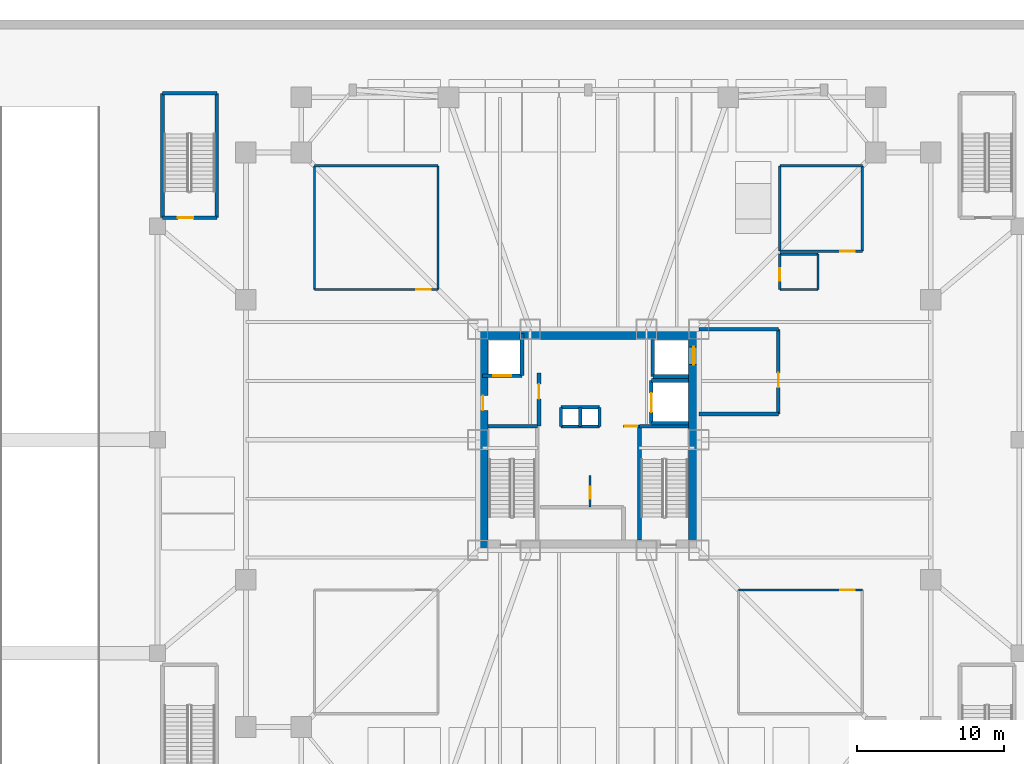
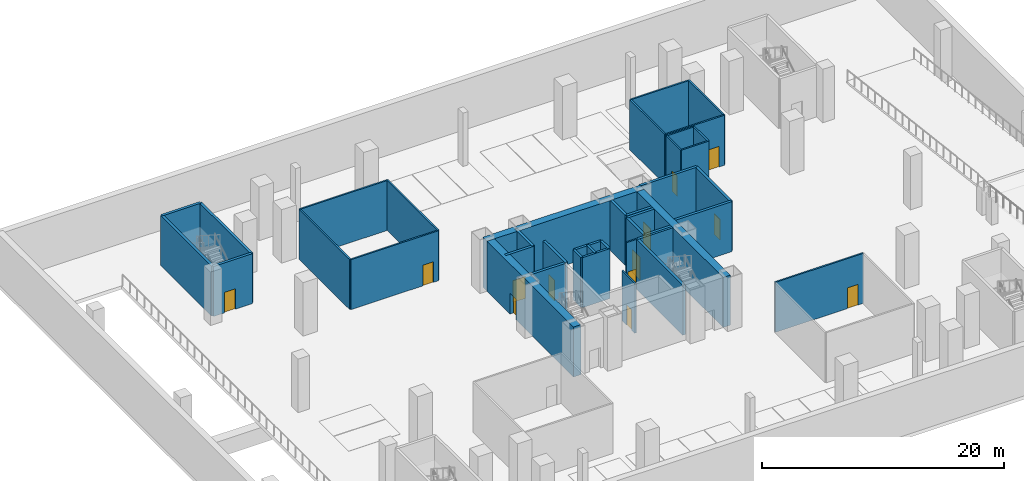
# One storey, part 5 of 14: 41 walls, 13 doors, 13 openings.
"""IFC4 building model written with IfcOpenShell, lengths in metres."""

import ifcopenshell
import ifcopenshell.guid

model = None  # the IFC model being written
_history = None  # IfcOwnerHistory: only IFC2X3 demands one
_inside = {}  # id of a spatial element -> (the spatial element, [elements in it])
_under = {}  # id of a project, library or spatial element -> (it, [spatial elements below it])
_declared = {}  # id of a project -> (the project, [libraries it declares])
_typed = {}  # id of a type object -> (the type object, [elements of that type])
_made_of = {}  # id of a material, layer set ... -> (it, [elements and type objects made of it])


def new_model(schema):
    """Start an empty IFC model of exactly this schema.

    Asked for "IFC4X3", IfcOpenShell would pick the latest addendum, in which some entities
    have other attributes; the version numbers below select the first issue.
    IFC2X3 requires an IfcOwnerHistory on every rooted entity: one is made here for all.
    """
    global model, _history
    if schema == "IFC4X3":
        model = ifcopenshell.file(schema_version=(4, 3, 0, 0))
    else:
        model = ifcopenshell.file(schema=schema)
    _inside.clear()
    _under.clear()
    _declared.clear()
    _typed.clear()
    _made_of.clear()
    _history = None
    if model.schema == "IFC2X3":
        org = make("IfcOrganization", Name="unknown")
        user = make(
            "IfcPersonAndOrganization",
            ThePerson=make("IfcPerson", FamilyName="unknown"),
            TheOrganization=org,
        )
        app = make(
            "IfcApplication",
            ApplicationDeveloper=org,
            Version="unknown",
            ApplicationFullName="unknown",
            ApplicationIdentifier="unknown",
        )
        _history = make(
            "IfcOwnerHistory",
            OwningUser=user,
            OwningApplication=app,
            ChangeAction="ADDED",
            CreationDate=0,
        )
    return model


def make(cls, **values):
    """One entity of the class cls with the attributes given. An attribute that is None is left unset."""
    return model.create_entity(
        cls, **{name: value for name, value in values.items() if value is not None}
    )


def rooted(cls, **values):
    """An entity with a GlobalId (a new one), such as an element, a storey or a relation."""
    return make(cls, GlobalId=ifcopenshell.guid.new(), OwnerHistory=_history, **values)


def si_unit(unit_type, name, prefix=None):
    """IfcSIUnit, for example si_unit("LENGTHUNIT", "METRE", prefix="MILLI")."""
    return make("IfcSIUnit", UnitType=unit_type, Prefix=prefix, Name=name)


def assignment(units):
    """IfcUnitAssignment: the units of a project."""
    return None if units is None else make("IfcUnitAssignment", Units=units)


def point(xyz):
    """IfcCartesianPoint."""
    return None if xyz is None else make("IfcCartesianPoint", Coordinates=xyz)


def direction(xyz):
    """IfcDirection."""
    return None if xyz is None else make("IfcDirection", DirectionRatios=xyz)


def frame(location, z_axis=None, x_axis=None):
    """IfcAxis2Placement3D, a coordinate frame: its origin and axes. An axis left out is left unset."""
    return make(
        "IfcAxis2Placement3D",
        Location=point(location),
        Axis=direction(z_axis),
        RefDirection=direction(x_axis),
    )


def frame_2d(location, x_axis=None):
    """IfcAxis2Placement2D, a coordinate frame in the plane: its origin and x axis."""
    return make(
        "IfcAxis2Placement2D", Location=point(location), RefDirection=direction(x_axis)
    )


def origin():
    """The frame at (0, 0, 0) with its axes left unset."""
    return frame((0.0, 0.0, 0.0))


def place(relative_to, where):
    """IfcLocalPlacement: puts the frame where relative to a parent placement (None: the world)."""
    return make(
        "IfcLocalPlacement", PlacementRelTo=relative_to, RelativePlacement=where
    )


def context(
    kind, dimensions, precision=None, world=None, true_north=None, identifier=None
):
    """IfcGeometricRepresentationContext, for example the 3D "Model" context."""
    return make(
        "IfcGeometricRepresentationContext",
        ContextIdentifier=identifier,
        ContextType=kind,
        CoordinateSpaceDimension=dimensions,
        Precision=precision,
        WorldCoordinateSystem=world,
        TrueNorth=true_north,
    )


def subcontext(parent, identifier, kind, view, scale=None):
    """IfcGeometricRepresentationSubContext, for example "Body" below "Model"."""
    return make(
        "IfcGeometricRepresentationSubContext",
        ContextIdentifier=identifier,
        ContextType=kind,
        ParentContext=parent,
        TargetScale=scale,
        TargetView=view,
    )


def project(units=None, contexts=None):
    """IfcProject with its units and contexts."""
    return rooted(
        "IfcProject",
        Name="project",
        RepresentationContexts=contexts,
        UnitsInContext=assignment(units),
    )


def spatial(cls, under=None, at=None, **own):
    """A site, building, storey or space (cls), placed at a placement, below another one or the project."""
    s = rooted(cls, ObjectPlacement=at, **own)
    if under is not None:
        _under.setdefault(under.id(), (under, []))[1].append(s)
    return s


def profile(cls, at=None, kind="AREA", **sizes):
    """A parametric profile (cls). Its sizes go by their IFC names, for example OverallWidth=200.0."""
    return make(cls, ProfileType=kind, Position=at, **sizes)


def rectangle(**sizes):
    """IfcRectangleProfileDef."""
    return profile("IfcRectangleProfileDef", **sizes)


def extrude(swept, where, along, depth):
    """IfcExtrudedAreaSolid: the profile swept, set in the frame where, extruded along a direction by depth."""
    return make(
        "IfcExtrudedAreaSolid",
        SweptArea=swept,
        Position=where,
        ExtrudedDirection=direction(along),
        Depth=depth,
    )


def shape(context_of_items, identifier, shape_type, items):
    """IfcShapeRepresentation: the items that make up one representation, for example the "Body"."""
    return make(
        "IfcShapeRepresentation",
        ContextOfItems=context_of_items,
        RepresentationIdentifier=identifier,
        RepresentationType=shape_type,
        Items=items,
    )


def material(Name=None, Category=None):
    """IfcMaterial."""
    return make("IfcMaterial", Name=Name, Category=Category)


def layer(
    of_material, thickness, ventilated=None, Name=None, Category=None, Priority=None
):
    """IfcMaterialLayer: one layer of a wall or slab, of a material (None: an air gap)."""
    return make(
        "IfcMaterialLayer",
        Material=of_material,
        LayerThickness=thickness,
        IsVentilated=ventilated,
        Name=Name,
        Category=Category,
        Priority=Priority,
    )


def layer_set(layers, Name=None):
    """IfcMaterialLayerSet."""
    return make("IfcMaterialLayerSet", MaterialLayers=layers, LayerSetName=Name)


def made_of(thing, what):
    """Note that an element or type object is made of a material, layer set ...; save() writes the relation."""
    if what is not None:
        _made_of.setdefault(what.id(), (what, []))[1].append(thing)
    return thing


def type_object(cls, material=None, **own):
    """A type object (cls), such as IfcWallType, which elements share."""
    return made_of(rooted(cls, **own), material)


def element(
    cls,
    number,
    at=None,
    inside=None,
    cuts=None,
    type_object=None,
    material=None,
    context=None,
    identifier="Body",
    shape_type=None,
    held_by="IfcProductDefinitionShape",
    body=None,
    shapes=None,
    **own,
):
    """One element of the class cls, such as IfcWall. Its Tag is "e" and its number.

    at: its placement. inside: the storey or other place that contains it. cuts: it is an
    opening in that element (IfcRelVoidsElement). A single representation is given by context,
    identifier, shape_type and body (its items); several are given by shapes. held_by: the class
    of the entity that holds the representations. save() writes the other relations.
    """
    e = rooted(cls, Tag="e%d" % number, ObjectPlacement=at, **own)
    if body is not None:
        shapes = [shape(context, identifier, shape_type, body)]
    if shapes is not None:
        e.Representation = make(held_by, Representations=shapes)
    if inside is not None:
        _inside.setdefault(inside.id(), (inside, []))[1].append(e)
    if cuts is not None:
        rooted(
            "IfcRelVoidsElement", RelatingBuildingElement=cuts, RelatedOpeningElement=e
        )
    if type_object is not None:
        _typed.setdefault(type_object.id(), (type_object, []))[1].append(e)
    return made_of(e, material)


def fill(opening, filler):
    """IfcRelFillsElement: the door or window that sits in an opening."""
    return rooted(
        "IfcRelFillsElement",
        RelatingOpeningElement=opening,
        RelatedBuildingElement=filler,
    )


def aggregate(whole, parts):
    """IfcRelAggregates: a whole, such as a stair, and the parts it consists of."""
    return rooted("IfcRelAggregates", RelatingObject=whole, RelatedObjects=parts)


def save(model, path):
    """Write the relations noted so far, then the file.

    IfcRelAggregates (storeys below a building ...), IfcRelContainedInSpatialStructure (elements
    in a storey), IfcRelDefinesByType, IfcRelAssociatesMaterial and IfcRelDeclares: one each for
    every whole, place, type object, material and project.
    """
    for whole, parts in _under.values():
        aggregate(whole, parts)
    for where, things in _inside.values():
        rooted(
            "IfcRelContainedInSpatialStructure",
            RelatedElements=things,
            RelatingStructure=where,
        )
    for kind, things in _typed.values():
        rooted("IfcRelDefinesByType", RelatedObjects=things, RelatingType=kind)
    for what, things in _made_of.values():
        rooted("IfcRelAssociatesMaterial", RelatedObjects=things, RelatingMaterial=what)
    for by, libraries in _declared.values():
        rooted("IfcRelDeclares", RelatingContext=by, RelatedDefinitions=libraries)
    model.write(path)


model = new_model("IFC4")

# Units and contexts
model_context = context("Model", 3, precision=1e-05, world=origin(), true_north=direction((0.0, 1.0)))
body_context = subcontext(model_context, "Body", "Model", "MODEL_VIEW")
ifc_project = project(units=[si_unit("LENGTHUNIT", "METRE"), si_unit("AREAUNIT", "SQUARE_METRE"), si_unit("VOLUMEUNIT", "CUBIC_METRE"), si_unit("PLANEANGLEUNIT", "RADIAN"), si_unit("MASSUNIT", "GRAM", prefix="KILO")], contexts=[model_context])

# Site, building, storey
site_placement = place(None, origin())
site = spatial("IfcSite", under=ifc_project, at=site_placement, CompositionType="ELEMENT")
building_placement = place(site_placement, origin())
building = spatial("IfcBuilding", under=site, at=building_placement, Name="Trevonay Congress Spire", CompositionType="ELEMENT")
storey_placement = place(building_placement, frame((0.0, 0.0, -5.39990234375)))
storey = spatial("IfcBuildingStorey", under=building, at=storey_placement, Name="B1", CompositionType="ELEMENT", Elevation=-5.39990234375)

# Wall
ifc_material_1 = material(Name="Concrete C60/75", Category="concrete")
ifc_layer_1 = layer(ifc_material_1, 0.699951171875, Name="Concrete C60/75")
ifc_layer_set_1 = layer_set([ifc_layer_1], Name="Concrete C60/75")
wall_type_1 = type_object("IfcWallType", Name="WAL-CORE-700", PredefinedType="SHEAR", material=ifc_layer_set_1)
wall_1_placement = place(storey_placement, frame((-7.5, 7.14990234375, 0.0), z_axis=(0.0, 0.0, 1.0), x_axis=(1.0, 0.0, 0.0)))
element("IfcWall", 1, at=wall_1_placement, inside=storey, type_object=wall_type_1, Name="B1 North structural core shear wall", PredefinedType="SHEAR", context=body_context, shape_type="SweptSolid", body=[
    extrude(rectangle(XDim=15.0, YDim=0.699951171875, at=frame_2d((7.5, 0.0))), origin(), (0.0, 0.0, 1.0), 5.0498046875),
])

# Wall, opening, door
wall_2_placement = place(storey_placement, frame((-7.14990234375, -7.5, 0.0), z_axis=(0.0, 0.0, 1.0), x_axis=(0.0, 1.0, 0.0)))
wall_2 = element("IfcWall", 2, at=wall_2_placement, inside=storey, type_object=wall_type_1, Name="B1 West structural core shear wall", PredefinedType="SHEAR", context=body_context, shape_type="SweptSolid", body=[
    extrude(rectangle(XDim=15.0, YDim=0.699951171875, at=frame_2d((7.5, 0.0))), origin(), (0.0, 0.0, 1.0), 5.0498046875),
])
opening_1_placement = place(wall_2_placement, frame((9.5, 0.0, 0.0)))
opening_1 = element("IfcOpeningElement", 3, at=opening_1_placement, cuts=wall_2, Name="Opening D06", PredefinedType="OPENING", context=body_context, shape_type="SweptSolid", body=[
    extrude(rectangle(XDim=1.0, YDim=2.080078125, at=frame_2d((0.5, 1.0400390625))), frame((0.0, 0.35986328125, 0.0), z_axis=(0.0, -1.0, 0.0), x_axis=(1.0, 0.0, 0.0)), (0.0, 0.0, 1.0), 0.719970703125),
])
ifc_material_2 = material(Name="Steel ASTM A572 Grade 50", Category="steel")
door_type_1 = type_object("IfcDoorType", Name="DOR-FIRE-100", OperationType="NOTDEFINED", PredefinedType="DOOR", material=ifc_material_2)
door_1_placement = place(opening_1_placement, origin())
door_1 = element("IfcDoor", 4, at=door_1_placement, inside=storey, type_object=door_type_1, Name="B1 Firefighting Lift Lobby West Corridor Door", OperationType="SINGLE_SWING_LEFT", OverallHeight=2.080078125, OverallWidth=1.0, PredefinedType="DOOR", context=body_context, shape_type="SweptSolid", body=[
    extrude(rectangle(XDim=1.0, YDim=2.080078125, at=frame_2d((0.5, 1.0400390625))), frame((0.0, 0.02490234375, 0.0), z_axis=(0.0, -1.0, 0.0), x_axis=(1.0, 0.0, 0.0)), (0.0, 0.0, 1.0), 0.050048828125),
])
fill(opening_1, door_1)

wall_3_placement = place(storey_placement, frame((7.14990234375, -7.5, 0.0), z_axis=(0.0, 0.0, 1.0), x_axis=(0.0, 1.0, 0.0)))
wall_3 = element("IfcWall", 5, at=wall_3_placement, inside=storey, type_object=wall_type_1, Name="B1 East structural core shear wall", PredefinedType="SHEAR", context=body_context, shape_type="SweptSolid", body=[
    extrude(rectangle(XDim=15.0, YDim=0.699951171875, at=frame_2d((7.5, 0.0))), origin(), (0.0, 0.0, 1.0), 5.0498046875),
])
opening_2_placement = place(wall_3_placement, frame((12.60009765625, 0.0, 0.0)))
opening_2 = element("IfcOpeningElement", 6, at=opening_2_placement, cuts=wall_3, Name="Opening LD04", PredefinedType="OPENING", context=body_context, shape_type="SweptSolid", body=[
    extrude(rectangle(XDim=1.199951171875, YDim=2.199951171875, at=frame_2d((0.60009765625, 1.10009765625))), frame((0.0, 0.35986328125, 0.0), z_axis=(0.0, -1.0, 0.0), x_axis=(1.0, 0.0, 0.0)), (0.0, 0.0, 1.0), 0.719970703125),
])
door_type_2 = type_object("IfcDoorType", Name="DOR-LIFT-LD04", OperationType="DOUBLE_DOOR_SLIDING", PredefinedType="DOOR", material=ifc_material_2)
door_2_placement = place(opening_2_placement, origin())
door_2 = element("IfcDoor", 7, at=door_2_placement, inside=storey, type_object=door_type_2, Name="B1 Firefighting lift FFL-02 landing door", OperationType="DOUBLE_DOOR_SLIDING", OverallHeight=2.199951171875, OverallWidth=1.199951171875, PredefinedType="DOOR", context=body_context, shape_type="SweptSolid", body=[
    extrude(rectangle(XDim=1.199951171875, YDim=2.199951171875, at=frame_2d((0.60009765625, 1.10009765625))), frame((0.0, 0.02490234375, 0.0), z_axis=(0.0, -1.0, 0.0), x_axis=(1.0, 0.0, 0.0)), (0.0, 0.0, 1.0), 0.050048828125),
])
fill(opening_2, door_2)

ifc_material_3 = material(Name="Concrete C40/50", Category="concrete")
ifc_layer_2 = layer(ifc_material_3, 0.14990234375, Name="Concrete C40/50")
ifc_layer_set_2 = layer_set([ifc_layer_2], Name="Concrete C40/50")
wall_type_2 = type_object("IfcWallType", Name="WAL-PART-150", PredefinedType="PARTITIONING", material=ifc_layer_set_2)
wall_4_placement = place(storey_placement, frame((2.3798828125, 0.919921875, 0.0), z_axis=(0.0, 0.0, 1.0), x_axis=(1.0, 0.0, 0.0)))
wall_4 = element("IfcWall", 8, at=wall_4_placement, inside=storey, type_object=wall_type_2, Name="B1 interior wall CW-CSRV-N-B1", PredefinedType="PARTITIONING", context=body_context, shape_type="SweptSolid", body=[
    extrude(rectangle(XDim=1.090087890625, YDim=0.14990234375, at=frame_2d((0.544921875, 0.0))), origin(), (0.0, 0.0, 1.0), 5.0498046875),
])
opening_3_placement = place(wall_4_placement, frame((0.135009765625, 0.0, 0.0)))
opening_3 = element("IfcOpeningElement", 9, at=opening_3_placement, cuts=wall_4, Name="Opening D13", PredefinedType="OPENING", context=body_context, shape_type="SweptSolid", body=[
    extrude(rectangle(XDim=0.820068359375, YDim=2.050048828125, at=frame_2d((0.41015625, 1.02490234375))), frame((0.0, 0.0849609375, 0.0), z_axis=(0.0, -1.0, 0.0), x_axis=(1.0, 0.0, 0.0)), (0.0, 0.0, 1.0), 0.169921875),
])
door_type_3 = type_object("IfcDoorType", Name="DOR-UTIL-80", OperationType="NOTDEFINED", PredefinedType="DOOR", material=ifc_material_2)
door_3_placement = place(opening_3_placement, origin())
door_3 = element("IfcDoor", 10, at=door_3_placement, inside=storey, type_object=door_type_3, Name="B1 Core Service Pocket Door", OperationType="SINGLE_SWING_LEFT", OverallHeight=2.050048828125, OverallWidth=0.820068359375, PredefinedType="DOOR", context=body_context, shape_type="SweptSolid", body=[
    extrude(rectangle(XDim=0.820068359375, YDim=2.050048828125, at=frame_2d((0.41015625, 1.02490234375))), frame((0.0, 0.02490234375, 0.0), z_axis=(0.0, -1.0, 0.0), x_axis=(1.0, 0.0, 0.0)), (0.0, 0.0, 1.0), 0.050048828125),
])
fill(opening_3, door_3)

wall_5_placement = place(storey_placement, frame((0.1201171875, -4.570068359375, 0.0), z_axis=(0.0, 0.0, 1.0), x_axis=(0.0, 1.0, 0.0)))
wall_5 = element("IfcWall", 11, at=wall_5_placement, inside=storey, type_object=wall_type_2, Name="B1 interior wall CW-K1-B1", PredefinedType="PARTITIONING", context=body_context, shape_type="SweptSolid", body=[
    extrude(rectangle(XDim=2.14013671875, YDim=0.14990234375, at=frame_2d((1.070068359375, 0.0))), origin(), (0.0, 0.0, 1.0), 5.0498046875),
])
opening_4_placement = place(wall_5_placement, frame((0.550048828125, 0.0, 0.0)))
opening_4 = element("IfcOpeningElement", 12, at=opening_4_placement, cuts=wall_5, Name="Opening D13", PredefinedType="OPENING", context=body_context, shape_type="SweptSolid", body=[
    extrude(rectangle(XDim=0.820068359375, YDim=2.050048828125, at=frame_2d((0.41015625, 1.02490234375))), frame((0.0, 0.0849609375, 0.0), z_axis=(0.0, -1.0, 0.0), x_axis=(1.0, 0.0, 0.0)), (0.0, 0.0, 1.0), 0.169921875),
])
door_4_placement = place(opening_4_placement, origin())
door_4 = element("IfcDoor", 13, at=door_4_placement, inside=storey, type_object=door_type_3, Name="B1 Core Closet Door", OperationType="SINGLE_SWING_RIGHT", OverallHeight=2.050048828125, OverallWidth=0.820068359375, PredefinedType="DOOR", context=body_context, shape_type="SweptSolid", body=[
    extrude(rectangle(XDim=0.820068359375, YDim=2.050048828125, at=frame_2d((0.41015625, 1.02490234375))), frame((0.0, 0.02490234375, 0.0), z_axis=(0.0, -1.0, 0.0), x_axis=(1.0, 0.0, 0.0)), (0.0, 0.0, 1.0), 0.050048828125),
])
fill(opening_4, door_4)

wall_6_placement = place(storey_placement, frame((10.199951171875, -10.199951171875, 0.0), z_axis=(0.0, 0.0, 1.0), x_axis=(1.0, 0.0, 0.0)))
wall_6 = element("IfcWall", 14, at=wall_6_placement, inside=storey, type_object=wall_type_2, Name="B1 interior wall WB-B103-N", PredefinedType="PARTITIONING", context=body_context, shape_type="SweptSolid", body=[
    extrude(rectangle(XDim=8.400146484375, YDim=0.14990234375, at=frame_2d((4.2001953125, 0.0))), origin(), (0.0, 0.0, 1.0), 5.0498046875),
])
opening_5_placement = place(wall_6_placement, frame((6.89990234375, 0.0, 0.0)))
opening_5 = element("IfcOpeningElement", 15, at=opening_5_placement, cuts=wall_6, Name="Opening D06", PredefinedType="OPENING", context=body_context, shape_type="SweptSolid", body=[
    extrude(rectangle(XDim=1.0, YDim=2.080078125, at=frame_2d((0.5, 1.0400390625))), frame((0.0, 0.0849609375, 0.0), z_axis=(0.0, -1.0, 0.0), x_axis=(1.0, 0.0, 0.0)), (0.0, 0.0, 1.0), 0.169921875),
])
door_5_placement = place(opening_5_placement, origin())
door_5 = element("IfcDoor", 16, at=door_5_placement, inside=storey, type_object=door_type_1, Name="B1 HV Substation and Switchgear Room Door", OperationType="SINGLE_SWING_LEFT", OverallHeight=2.080078125, OverallWidth=1.0, PredefinedType="DOOR", context=body_context, shape_type="SweptSolid", body=[
    extrude(rectangle(XDim=1.0, YDim=2.080078125, at=frame_2d((0.5, 1.0400390625))), frame((0.0, 0.02490234375, 0.0), z_axis=(0.0, -1.0, 0.0), x_axis=(1.0, 0.0, 0.0)), (0.0, 0.0, 1.0), 0.050048828125),
])
fill(opening_5, door_5)

wall_7_placement = place(storey_placement, frame((-18.60009765625, 10.199951171875, 0.0), z_axis=(0.0, 0.0, 1.0), x_axis=(1.0, 0.0, 0.0)))
wall_7 = element("IfcWall", 17, at=wall_7_placement, inside=storey, type_object=wall_type_2, Name="B1 interior wall WB-B104-S", PredefinedType="PARTITIONING", context=body_context, shape_type="SweptSolid", body=[
    extrude(rectangle(XDim=8.400146484375, YDim=0.14990234375, at=frame_2d((4.2001953125, 0.0))), origin(), (0.0, 0.0, 1.0), 5.0498046875),
])
opening_6_placement = place(wall_7_placement, frame((6.89990234375, 0.0, 0.0)))
opening_6 = element("IfcOpeningElement", 18, at=opening_6_placement, cuts=wall_7, Name="Opening D06", PredefinedType="OPENING", context=body_context, shape_type="SweptSolid", body=[
    extrude(rectangle(XDim=1.0, YDim=2.080078125, at=frame_2d((0.5, 1.0400390625))), frame((0.0, 0.0849609375, 0.0), z_axis=(0.0, -1.0, 0.0), x_axis=(1.0, 0.0, 0.0)), (0.0, 0.0, 1.0), 0.169921875),
])
door_6_placement = place(opening_6_placement, origin())
door_6 = element("IfcDoor", 19, at=door_6_placement, inside=storey, type_object=door_type_1, Name="B1 Exhibition Service Loading Bay Door", OperationType="SINGLE_SWING_RIGHT", OverallHeight=2.080078125, OverallWidth=1.0, PredefinedType="DOOR", context=body_context, shape_type="SweptSolid", body=[
    extrude(rectangle(XDim=1.0, YDim=2.080078125, at=frame_2d((0.5, 1.0400390625))), frame((0.0, 0.02490234375, 0.0), z_axis=(0.0, -1.0, 0.0), x_axis=(1.0, 0.0, 0.0)), (0.0, 0.0, 1.0), 0.050048828125),
])
fill(opening_6, door_6)

# Walls
for number, where, z_axis, x_axis, name in (
    (20, (-18.60009765625, 18.60009765625, 0.0), (0.0, 0.0, 1.0), (1.0, 0.0, 0.0), "B1 interior wall WB-B104-N"),
    (21, (-18.60009765625, 10.199951171875, 0.0), (0.0, 0.0, 1.0), (0.0, 1.0, 0.0), "B1 interior wall WB-B104-W"),
    (22, (-10.199951171875, 10.199951171875, 0.0), (0.0, 0.0, 1.0), (0.0, 1.0, 0.0), "B1 interior wall WB-B104-E"),
):
    element("IfcWall", number, at=place(storey_placement, frame(where, z_axis=z_axis, x_axis=x_axis)), inside=storey, type_object=wall_type_2, Name=name, PredefinedType="PARTITIONING", context=body_context, shape_type="SweptSolid", body=[
        extrude(rectangle(XDim=8.400146484375, YDim=0.14990234375, at=frame_2d((4.2001953125, 0.0))), origin(), (0.0, 0.0, 1.0), 5.0498046875),
    ])

# Wall, opening, door
wall_8_placement = place(storey_placement, frame((13.0, 12.800048828125, 0.0), z_axis=(0.0, 0.0, 1.0), x_axis=(1.0, 0.0, 0.0)))
wall_8 = element("IfcWall", 23, at=wall_8_placement, inside=storey, type_object=wall_type_2, Name="B1 interior wall WB-B105-S", PredefinedType="PARTITIONING", context=body_context, shape_type="SweptSolid", body=[
    extrude(rectangle(XDim=5.60009765625, YDim=0.14990234375, at=frame_2d((2.800048828125, 0.0))), origin(), (0.0, 0.0, 1.0), 5.0498046875),
])
opening_7_placement = place(wall_8_placement, frame((4.10009765625, 0.0, 0.0)))
opening_7 = element("IfcOpeningElement", 24, at=opening_7_placement, cuts=wall_8, Name="Opening D06", PredefinedType="OPENING", context=body_context, shape_type="SweptSolid", body=[
    extrude(rectangle(XDim=1.0, YDim=2.080078125, at=frame_2d((0.5, 1.0400390625))), frame((0.0, 0.0849609375, 0.0), z_axis=(0.0, -1.0, 0.0), x_axis=(1.0, 0.0, 0.0)), (0.0, 0.0, 1.0), 0.169921875),
])
door_7_placement = place(opening_7_placement, origin())
door_7 = element("IfcDoor", 25, at=door_7_placement, inside=storey, type_object=door_type_1, Name="B1 Refuse Compactor and Recycling Room Door", OperationType="SINGLE_SWING_LEFT", OverallHeight=2.080078125, OverallWidth=1.0, PredefinedType="DOOR", context=body_context, shape_type="SweptSolid", body=[
    extrude(rectangle(XDim=1.0, YDim=2.080078125, at=frame_2d((0.5, 1.0400390625))), frame((0.0, 0.02490234375, 0.0), z_axis=(0.0, -1.0, 0.0), x_axis=(1.0, 0.0, 0.0)), (0.0, 0.0, 1.0), 0.050048828125),
])
fill(opening_7, door_7)

# Walls
wall_9_placement = place(storey_placement, frame((13.0, 18.60009765625, 0.0), z_axis=(0.0, 0.0, 1.0), x_axis=(1.0, 0.0, 0.0)))
element("IfcWall", 26, at=wall_9_placement, inside=storey, type_object=wall_type_2, Name="B1 interior wall WB-B105-N", PredefinedType="PARTITIONING", context=body_context, shape_type="SweptSolid", body=[
    extrude(rectangle(XDim=5.60009765625, YDim=0.14990234375, at=frame_2d((2.800048828125, 0.0))), origin(), (0.0, 0.0, 1.0), 5.0498046875),
])
for number, where, z_axis, x_axis, name in (
    (27, (13.0, 12.800048828125, 0.0), (0.0, 0.0, 1.0), (0.0, 1.0, 0.0), "B1 interior wall WB-B105-W"),
    (28, (18.60009765625, 12.800048828125, 0.0), (0.0, 0.0, 1.0), (0.0, 1.0, 0.0), "B1 interior wall WB-B105-E"),
):
    element("IfcWall", number, at=place(storey_placement, frame(where, z_axis=z_axis, x_axis=x_axis)), inside=storey, type_object=wall_type_2, Name=name, PredefinedType="PARTITIONING", context=body_context, shape_type="SweptSolid", body=[
        extrude(rectangle(XDim=5.800048828125, YDim=0.14990234375, at=frame_2d((2.89990234375, 0.0))), origin(), (0.0, 0.0, 1.0), 5.0498046875),
    ])
for number, where, z_axis, x_axis, name in (
    (29, (13.0, 10.199951171875, 0.0), (0.0, 0.0, 1.0), (1.0, 0.0, 0.0), "B1 interior wall WB-B106-S"),
    (30, (13.0, 12.60009765625, 0.0), (0.0, 0.0, 1.0), (1.0, 0.0, 0.0), "B1 interior wall WB-B106-N"),
):
    element("IfcWall", number, at=place(storey_placement, frame(where, z_axis=z_axis, x_axis=x_axis)), inside=storey, type_object=wall_type_2, Name=name, PredefinedType="PARTITIONING", context=body_context, shape_type="SweptSolid", body=[
        extrude(rectangle(XDim=2.60009765625, YDim=0.14990234375, at=frame_2d((1.300048828125, 0.0))), origin(), (0.0, 0.0, 1.0), 5.0498046875),
    ])

# Wall, opening, door
wall_10_placement = place(storey_placement, frame((13.0, 10.199951171875, 0.0), z_axis=(0.0, 0.0, 1.0), x_axis=(0.0, 1.0, 0.0)))
wall_10 = element("IfcWall", 31, at=wall_10_placement, inside=storey, type_object=wall_type_2, Name="B1 interior wall WB-B106-W", PredefinedType="PARTITIONING", context=body_context, shape_type="SweptSolid", body=[
    extrude(rectangle(XDim=2.400146484375, YDim=0.14990234375, at=frame_2d((1.2001953125, 0.0))), origin(), (0.0, 0.0, 1.0), 5.0498046875),
])
opening_8_placement = place(wall_10_placement, frame((0.60009765625, 0.0, 0.0)))
opening_8 = element("IfcOpeningElement", 32, at=opening_8_placement, cuts=wall_10, Name="Opening D10", PredefinedType="OPENING", context=body_context, shape_type="SweptSolid", body=[
    extrude(rectangle(XDim=0.85009765625, YDim=2.050048828125, at=frame_2d((0.425048828125, 1.02490234375))), frame((0.0, 0.0849609375, 0.0), z_axis=(0.0, -1.0, 0.0), x_axis=(1.0, 0.0, 0.0)), (0.0, 0.0, 1.0), 0.169921875),
])
ifc_material_4 = material(Name="Pale Anodised Aluminium EN AW-6063-T6", Category="aluminium")
door_type_4 = type_object("IfcDoorType", Name="DOR-WC-85", OperationType="NOTDEFINED", PredefinedType="DOOR", material=ifc_material_4)
door_8_placement = place(opening_8_placement, origin())
door_8 = element("IfcDoor", 33, at=door_8_placement, inside=storey, type_object=door_type_4, Name="B1 Accessible WC B1 Door", OperationType="SINGLE_SWING_RIGHT", OverallHeight=2.050048828125, OverallWidth=0.85009765625, PredefinedType="DOOR", context=body_context, shape_type="SweptSolid", body=[
    extrude(rectangle(XDim=0.85009765625, YDim=2.050048828125, at=frame_2d((0.425048828125, 1.02490234375))), frame((0.0, 0.02490234375, 0.0), z_axis=(0.0, -1.0, 0.0), x_axis=(1.0, 0.0, 0.0)), (0.0, 0.0, 1.0), 0.050048828125),
])
fill(opening_8, door_8)

# Walls
wall_11_placement = place(storey_placement, frame((15.60009765625, 10.199951171875, 0.0), z_axis=(0.0, 0.0, 1.0), x_axis=(0.0, 1.0, 0.0)))
element("IfcWall", 34, at=wall_11_placement, inside=storey, type_object=wall_type_2, Name="B1 interior wall WB-B106-E", PredefinedType="PARTITIONING", context=body_context, shape_type="SweptSolid", body=[
    extrude(rectangle(XDim=2.400146484375, YDim=0.14990234375, at=frame_2d((1.2001953125, 0.0))), origin(), (0.0, 0.0, 1.0), 5.0498046875),
])
ifc_layer_3 = layer(ifc_material_3, 0.219970703125, Name="Concrete C40/50")
ifc_layer_set_3 = layer_set([ifc_layer_3], Name="Concrete C40/50")
wall_type_3 = type_object("IfcWallType", Name="WAL-SHAFT-220", PredefinedType="PARTITIONING", material=ifc_layer_set_3)
for number, where, z_axis, x_axis, name in (
    (35, (-1.85009765625, 2.199951171875, 0.0), (0.0, 0.0, 1.0), (1.0, 0.0, 0.0), "B1 interior shaft wall WSH-B1-RSR-N"),
    (36, (-1.85009765625, 0.89990234375, 0.0), (0.0, 0.0, 1.0), (1.0, 0.0, 0.0), "B1 interior shaft wall WSH-B1-RSR-S"),
):
    element("IfcWall", number, at=place(storey_placement, frame(where, z_axis=z_axis, x_axis=x_axis)), inside=storey, type_object=wall_type_3, Name=name, PredefinedType="PARTITIONING", context=body_context, shape_type="SweptSolid", body=[
        extrude(rectangle(XDim=2.60009765625, YDim=0.219970703125, at=frame_2d((1.300048828125, 0.0))), origin(), (0.0, 0.0, 1.0), 5.0498046875),
    ])
for number, where, z_axis, x_axis, name in (
    (37, (-0.550048828125, 0.89990234375, 0.0), (0.0, 0.0, 1.0), (0.0, 1.0, 0.0), "B1 interior shaft wall WSH-B1-RSR-M"),
    (38, (0.75, 0.89990234375, 0.0), (0.0, 0.0, 1.0), (0.0, 1.0, 0.0), "B1 interior shaft wall WSH-B1-RSR-E"),
    (39, (-1.85009765625, 0.89990234375, 0.0), (0.0, 0.0, 1.0), (0.0, 1.0, 0.0), "B1 interior shaft wall WSH-B1-RSR-W"),
):
    element("IfcWall", number, at=place(storey_placement, frame(where, z_axis=z_axis, x_axis=x_axis)), inside=storey, type_object=wall_type_3, Name=name, PredefinedType="PARTITIONING", context=body_context, shape_type="SweptSolid", body=[
        extrude(rectangle(XDim=1.300048828125, YDim=0.219970703125, at=frame_2d((0.64990234375, 0.0))), origin(), (0.0, 0.0, 1.0), 5.0498046875),
    ])

# Wall, opening, door
ifc_layer_4 = layer(ifc_material_3, 0.25, Name="Concrete C40/50")
ifc_layer_set_4 = layer_set([ifc_layer_4], Name="Concrete C40/50")
wall_type_4 = type_object("IfcWallType", Name="WAL-SHAFT-250", PredefinedType="SHEAR", material=ifc_layer_set_4)
wall_12_placement = place(storey_placement, frame((-7.199951171875, 4.35009765625, 0.0), z_axis=(0.0, 0.0, 1.0), x_axis=(1.0, 0.0, 0.0)))
wall_12 = element("IfcWall", 40, at=wall_12_placement, inside=storey, type_object=wall_type_4, Name="B1 interior shaft wall WSH-B1-FF1-S", PredefinedType="SHEAR", context=body_context, shape_type="SweptSolid", body=[
    extrude(rectangle(XDim=2.699951171875, YDim=0.25, at=frame_2d((1.35009765625, 0.0))), origin(), (0.0, 0.0, 1.0), 5.0498046875),
])
opening_9_placement = place(wall_12_placement, frame((0.75, 0.0, 0.0)))
opening_9 = element("IfcOpeningElement", 41, at=opening_9_placement, cuts=wall_12, Name="Opening LD04", PredefinedType="OPENING", context=body_context, shape_type="SweptSolid", body=[
    extrude(rectangle(XDim=1.199951171875, YDim=2.199951171875, at=frame_2d((0.60009765625, 1.10009765625))), frame((0.0, 0.135009765625, 0.0), z_axis=(0.0, -1.0, 0.0), x_axis=(1.0, 0.0, 0.0)), (0.0, 0.0, 1.0), 0.27001953125),
])
door_9_placement = place(opening_9_placement, origin())
door_9 = element("IfcDoor", 42, at=door_9_placement, inside=storey, type_object=door_type_2, Name="B1 Firefighting lift FFL-01 landing door", OperationType="DOUBLE_DOOR_SLIDING", OverallHeight=2.199951171875, OverallWidth=1.199951171875, PredefinedType="DOOR", context=body_context, shape_type="SweptSolid", body=[
    extrude(rectangle(XDim=1.199951171875, YDim=2.199951171875, at=frame_2d((0.60009765625, 1.10009765625))), frame((0.0, 0.02490234375, 0.0), z_axis=(0.0, -1.0, 0.0), x_axis=(1.0, 0.0, 0.0)), (0.0, 0.0, 1.0), 0.050048828125),
])
fill(opening_9, door_9)

# Walls
wall_13_placement = place(storey_placement, frame((-4.5, 4.35009765625, 0.0), z_axis=(0.0, 0.0, 1.0), x_axis=(0.0, 1.0, 0.0)))
element("IfcWall", 43, at=wall_13_placement, inside=storey, type_object=wall_type_4, Name="B1 interior shaft wall WSH-B1-FF1-E", PredefinedType="SHEAR", context=body_context, shape_type="SweptSolid", body=[
    extrude(rectangle(XDim=2.849853515625, YDim=0.25, at=frame_2d((1.4248046875, 0.0))), origin(), (0.0, 0.0, 1.0), 5.0498046875),
])
wall_14_placement = place(storey_placement, frame((4.3798828125, 4.300048828125, 0.0), z_axis=(0.0, 0.0, 1.0), x_axis=(1.0, 0.0, 0.0)))
element("IfcWall", 44, at=wall_14_placement, inside=storey, type_object=wall_type_4, Name="B1 interior shaft wall WSH-B1-FF2-S", PredefinedType="SHEAR", context=body_context, shape_type="SweptSolid", body=[
    extrude(rectangle(XDim=2.420166015625, YDim=0.25, at=frame_2d((1.2099609375, 0.0))), origin(), (0.0, 0.0, 1.0), 5.0498046875),
])
wall_15_placement = place(storey_placement, frame((4.3798828125, 4.300048828125, 0.0), z_axis=(0.0, 0.0, 1.0), x_axis=(0.0, 1.0, 0.0)))
element("IfcWall", 45, at=wall_15_placement, inside=storey, type_object=wall_type_4, Name="B1 interior shaft wall WSH-B1-FF2-W", PredefinedType="SHEAR", context=body_context, shape_type="SweptSolid", body=[
    extrude(rectangle(XDim=2.5, YDim=0.25, at=frame_2d((1.25, 0.0))), origin(), (0.0, 0.0, 1.0), 5.0498046875),
])

# Wall, opening, door
wall_16_placement = place(storey_placement, frame((4.280029296875, 1.1201171875, 0.0), z_axis=(0.0, 0.0, 1.0), x_axis=(0.0, 1.0, 0.0)))
wall_16 = element("IfcWall", 46, at=wall_16_placement, inside=storey, type_object=wall_type_4, Name="B1 interior shaft wall WSH-B1-SV-W", PredefinedType="SHEAR", context=body_context, shape_type="SweptSolid", body=[
    extrude(rectangle(XDim=2.89990234375, YDim=0.25, at=frame_2d((1.449951171875, 0.0))), origin(), (0.0, 0.0, 1.0), 5.0498046875),
])
opening_10_placement = place(wall_16_placement, frame((0.75, 0.0, 0.0)))
opening_10 = element("IfcOpeningElement", 47, at=opening_10_placement, cuts=wall_16, Name="Opening LD05", PredefinedType="OPENING", context=body_context, shape_type="SweptSolid", body=[
    extrude(rectangle(XDim=1.300048828125, YDim=2.300048828125, at=frame_2d((0.64990234375, 1.14990234375))), frame((0.0, 0.135009765625, 0.0), z_axis=(0.0, -1.0, 0.0), x_axis=(1.0, 0.0, 0.0)), (0.0, 0.0, 1.0), 0.27001953125),
])
door_type_5 = type_object("IfcDoorType", Name="DOR-LIFT-LD05", OperationType="DOUBLE_DOOR_SLIDING", PredefinedType="DOOR", material=ifc_material_2)
door_10_placement = place(opening_10_placement, origin())
door_10 = element("IfcDoor", 48, at=door_10_placement, inside=storey, type_object=door_type_5, Name="B1 Goods lift SVL-01 landing door", OperationType="DOUBLE_DOOR_SLIDING", OverallHeight=2.300048828125, OverallWidth=1.300048828125, PredefinedType="DOOR", context=body_context, shape_type="SweptSolid", body=[
    extrude(rectangle(XDim=1.300048828125, YDim=2.300048828125, at=frame_2d((0.64990234375, 1.14990234375))), frame((0.0, 0.02490234375, 0.0), z_axis=(0.0, -1.0, 0.0), x_axis=(1.0, 0.0, 0.0)), (0.0, 0.0, 1.0), 0.050048828125),
])
fill(opening_10, door_10)

# Walls
for number, where, z_axis, x_axis, name in (
    (49, (4.280029296875, 1.1201171875, 0.0), (0.0, 0.0, 1.0), (1.0, 0.0, 0.0), "B1 interior shaft wall WSH-B1-SV-S"),
    (50, (4.280029296875, 4.02001953125, 0.0), (0.0, 0.0, 1.0), (1.0, 0.0, 0.0), "B1 interior shaft wall WSH-B1-SV-N"),
):
    element("IfcWall", number, at=place(storey_placement, frame(where, z_axis=z_axis, x_axis=x_axis)), inside=storey, type_object=wall_type_4, Name=name, PredefinedType="SHEAR", context=body_context, shape_type="SweptSolid", body=[
        extrude(rectangle(XDim=2.52001953125, YDim=0.25, at=frame_2d((1.260009765625, 0.0))), origin(), (0.0, 0.0, 1.0), 5.0498046875),
    ])

# Wall, opening, door
wall_17_placement = place(storey_placement, frame((-3.35009765625, 0.919921875, 0.0), z_axis=(0.0, 0.0, 1.0), x_axis=(0.0, 1.0, 0.0)))
wall_17 = element("IfcWall", 51, at=wall_17_placement, inside=storey, type_object=wall_type_4, Name="B1 interior wall CW-FFLW-E-B1", PredefinedType="SHEAR", context=body_context, shape_type="SweptSolid", body=[
    extrude(rectangle(XDim=3.6201171875, YDim=0.25, at=frame_2d((1.81005859375, 0.0))), origin(), (0.0, 0.0, 1.0), 5.0498046875),
])
opening_11_placement = place(wall_17_placement, frame((1.85009765625, 0.0, 0.0)))
opening_11 = element("IfcOpeningElement", 52, at=opening_11_placement, cuts=wall_17, Name="Opening D06", PredefinedType="OPENING", context=body_context, shape_type="SweptSolid", body=[
    extrude(rectangle(XDim=1.0, YDim=2.080078125, at=frame_2d((0.5, 1.0400390625))), frame((0.0, 0.135009765625, 0.0), z_axis=(0.0, -1.0, 0.0), x_axis=(1.0, 0.0, 0.0)), (0.0, 0.0, 1.0), 0.27001953125),
])
door_11_placement = place(opening_11_placement, origin())
door_11 = element("IfcDoor", 53, at=door_11_placement, inside=storey, type_object=door_type_1, Name="B1 Firefighting Core Lobby Transfer Door", OperationType="SINGLE_SWING_RIGHT", OverallHeight=2.080078125, OverallWidth=1.0, PredefinedType="DOOR", context=body_context, shape_type="SweptSolid", body=[
    extrude(rectangle(XDim=1.0, YDim=2.080078125, at=frame_2d((0.5, 1.0400390625))), frame((0.0, 0.02490234375, 0.0), z_axis=(0.0, -1.0, 0.0), x_axis=(1.0, 0.0, 0.0)), (0.0, 0.0, 1.0), 0.050048828125),
])
fill(opening_11, door_11)

wall_18_placement = place(storey_placement, frame((12.89990234375, 1.75, 0.0), z_axis=(0.0, 0.0, 1.0), x_axis=(0.0, 1.0, 0.0)))
wall_18 = element("IfcWall", 54, at=wall_18_placement, inside=storey, type_object=wall_type_4, Name="B1 interior wall WB-B1-FFLE-E", PredefinedType="SHEAR", context=body_context, shape_type="SweptSolid", body=[
    extrude(rectangle(XDim=5.75, YDim=0.25, at=frame_2d((2.875, 0.0))), origin(), (0.0, 0.0, 1.0), 5.0498046875),
])
opening_12_placement = place(wall_18_placement, frame((1.800048828125, 0.0, 0.0)))
opening_12 = element("IfcOpeningElement", 55, at=opening_12_placement, cuts=wall_18, Name="Opening D06", PredefinedType="OPENING", context=body_context, shape_type="SweptSolid", body=[
    extrude(rectangle(XDim=1.0, YDim=2.080078125, at=frame_2d((0.5, 1.0400390625))), frame((0.0, 0.135009765625, 0.0), z_axis=(0.0, -1.0, 0.0), x_axis=(1.0, 0.0, 0.0)), (0.0, 0.0, 1.0), 0.27001953125),
])
door_12_placement = place(opening_12_placement, origin())
door_12 = element("IfcDoor", 56, at=door_12_placement, inside=storey, type_object=door_type_1, Name="B1 Firefighting Lobby East B1 Door", OperationType="SINGLE_SWING_LEFT", OverallHeight=2.080078125, OverallWidth=1.0, PredefinedType="DOOR", context=body_context, shape_type="SweptSolid", body=[
    extrude(rectangle(XDim=1.0, YDim=2.080078125, at=frame_2d((0.5, 1.0400390625))), frame((0.0, 0.02490234375, 0.0), z_axis=(0.0, -1.0, 0.0), x_axis=(1.0, 0.0, 0.0)), (0.0, 0.0, 1.0), 0.050048828125),
])
fill(opening_12, door_12)

# Walls
for number, where, z_axis, x_axis, name in (
    (57, (7.5, 1.75, 0.0), (0.0, 0.0, 1.0), (1.0, 0.0, 0.0), "B1 interior wall WB-B1-FFLE-S"),
    (58, (7.5, 7.5, 0.0), (0.0, 0.0, 1.0), (1.0, 0.0, 0.0), "B1 interior wall WB-B1-FFLE-N"),
):
    element("IfcWall", number, at=place(storey_placement, frame(where, z_axis=z_axis, x_axis=x_axis)), inside=storey, type_object=wall_type_4, Name=name, PredefinedType="SHEAR", context=body_context, shape_type="SweptSolid", body=[
        extrude(rectangle(XDim=5.39990234375, YDim=0.25, at=frame_2d((2.699951171875, 0.0))), origin(), (0.0, 0.0, 1.0), 5.0498046875),
    ])
ifc_layer_5 = layer(ifc_material_3, 0.25, Name="Concrete C40/50")
ifc_layer_set_5 = layer_set([ifc_layer_5], Name="Concrete C40/50")
wall_type_5 = type_object("IfcWallType", Name="WAL-SHAFT-LB-250", PredefinedType="SHEAR", material=ifc_layer_set_5)
wall_19_placement = place(storey_placement, frame((-6.800048828125, 0.919921875, 0.0), z_axis=(0.0, 0.0, 1.0), x_axis=(1.0, 0.0, 0.0)))
element("IfcWall", 59, at=wall_19_placement, inside=storey, type_object=wall_type_5, Name="B1 interior shaft wall WSH-B1-ST1-N", PredefinedType="SHEAR", context=body_context, shape_type="SweptSolid", body=[
    extrude(rectangle(XDim=3.330078125, YDim=0.25, at=frame_2d((1.6650390625, 0.0))), origin(), (0.0, 0.0, 1.0), 5.0498046875),
])
wall_20_placement = place(storey_placement, frame((3.469970703125, -6.800048828125, 0.0), z_axis=(0.0, 0.0, 1.0), x_axis=(0.0, 1.0, 0.0)))
element("IfcWall", 60, at=wall_20_placement, inside=storey, type_object=wall_type_5, Name="B1 interior shaft wall WSH-B1-ST2-W", PredefinedType="SHEAR", context=body_context, shape_type="SweptSolid", body=[
    extrude(rectangle(XDim=7.719970703125, YDim=0.25, at=frame_2d((3.85986328125, 0.0))), origin(), (0.0, 0.0, 1.0), 5.0498046875),
])
wall_21_placement = place(storey_placement, frame((3.469970703125, 0.919921875, 0.0), z_axis=(0.0, 0.0, 1.0), x_axis=(1.0, 0.0, 0.0)))
element("IfcWall", 61, at=wall_21_placement, inside=storey, type_object=wall_type_5, Name="B1 interior shaft wall WSH-B1-ST2-N", PredefinedType="SHEAR", context=body_context, shape_type="SweptSolid", body=[
    extrude(rectangle(XDim=3.330078125, YDim=0.25, at=frame_2d((1.6650390625, 0.0))), origin(), (0.0, 0.0, 1.0), 5.0498046875),
])

# Wall, opening, door
wall_22_placement = place(storey_placement, frame((-28.919921875, 15.080078125, 0.0), z_axis=(0.0, 0.0, 1.0), x_axis=(1.0, 0.0, 0.0)))
wall_22 = element("IfcWall", 62, at=wall_22_placement, inside=storey, type_object=wall_type_5, Name="B1 interior shaft wall WSH-B1-ST-5-S", PredefinedType="SHEAR", context=body_context, shape_type="SweptSolid", body=[
    extrude(rectangle(XDim=3.68994140625, YDim=0.25, at=frame_2d((1.844970703125, 0.0))), origin(), (0.0, 0.0, 1.0), 5.0498046875),
])
opening_13_placement = place(wall_22_placement, frame((1.050048828125, 0.0, 0.0)))
opening_13 = element("IfcOpeningElement", 63, at=opening_13_placement, cuts=wall_22, Name="Opening D05", PredefinedType="OPENING", context=body_context, shape_type="SweptSolid", body=[
    extrude(rectangle(XDim=1.050048828125, YDim=2.080078125, at=frame_2d((0.52490234375, 1.0400390625))), frame((0.0, 0.135009765625, 0.0), z_axis=(0.0, -1.0, 0.0), x_axis=(1.0, 0.0, 0.0)), (0.0, 0.0, 1.0), 0.27001953125),
])
door_type_6 = type_object("IfcDoorType", Name="DOR-STAIR-110", OperationType="NOTDEFINED", PredefinedType="DOOR", material=ifc_material_2)
door_13_placement = place(opening_13_placement, origin())
door_13 = element("IfcDoor", 64, at=door_13_placement, inside=storey, type_object=door_type_6, Name="B1 Escape Stair ST-5 Door", OperationType="SINGLE_SWING_RIGHT", OverallHeight=2.080078125, OverallWidth=1.050048828125, PredefinedType="DOOR", context=body_context, shape_type="SweptSolid", body=[
    extrude(rectangle(XDim=1.050048828125, YDim=2.080078125, at=frame_2d((0.52490234375, 1.0400390625))), frame((0.0, 0.02490234375, 0.0), z_axis=(0.0, -1.0, 0.0), x_axis=(1.0, 0.0, 0.0)), (0.0, 0.0, 1.0), 0.050048828125),
])
fill(opening_13, door_13)

# Walls
wall_23_placement = place(storey_placement, frame((-28.919921875, 23.52001953125, 0.0), z_axis=(0.0, 0.0, 1.0), x_axis=(1.0, 0.0, 0.0)))
element("IfcWall", 65, at=wall_23_placement, inside=storey, type_object=wall_type_5, Name="B1 interior shaft wall WSH-B1-ST-5-N", PredefinedType="SHEAR", context=body_context, shape_type="SweptSolid", body=[
    extrude(rectangle(XDim=3.68994140625, YDim=0.25, at=frame_2d((1.844970703125, 0.0))), origin(), (0.0, 0.0, 1.0), 5.0498046875),
])
for number, where, z_axis, x_axis, name in (
    (66, (-28.919921875, 15.080078125, 0.0), (0.0, 0.0, 1.0), (0.0, 1.0, 0.0), "B1 interior shaft wall WSH-B1-ST-5-W"),
    (67, (-25.22998046875, 15.080078125, 0.0), (0.0, 0.0, 1.0), (0.0, 1.0, 0.0), "B1 interior shaft wall WSH-B1-ST-5-E"),
):
    element("IfcWall", number, at=place(storey_placement, frame(where, z_axis=z_axis, x_axis=x_axis)), inside=storey, type_object=wall_type_5, Name=name, PredefinedType="SHEAR", context=body_context, shape_type="SweptSolid", body=[
        extrude(rectangle(XDim=8.43994140625, YDim=0.25, at=frame_2d((4.219970703125, 0.0))), origin(), (0.0, 0.0, 1.0), 5.0498046875),
    ])

save(model, "model.ifc")
